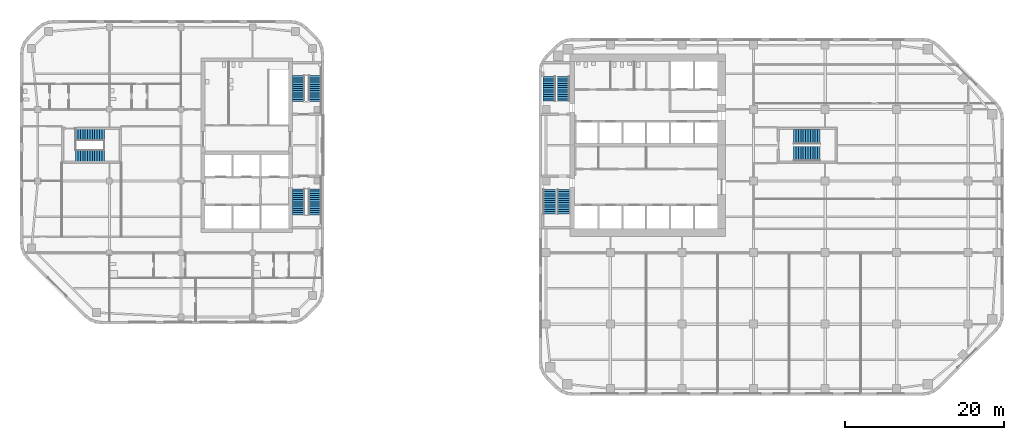
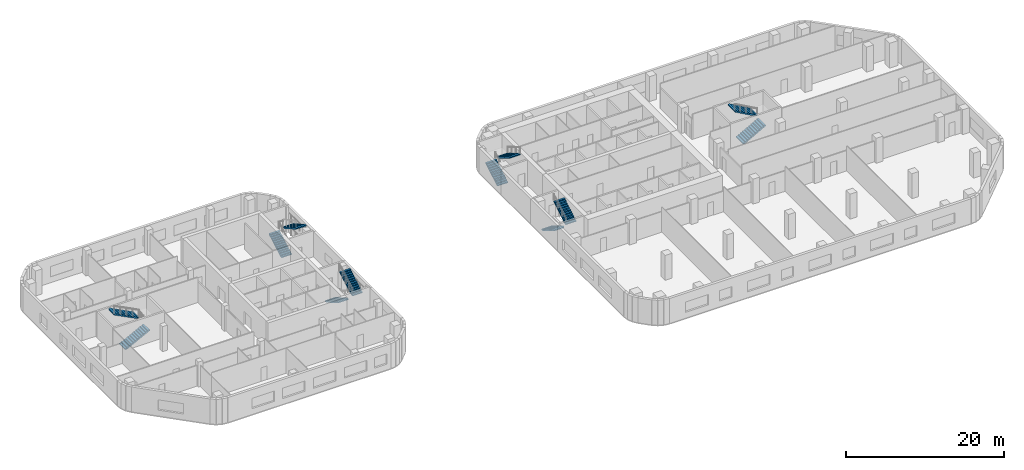
# One storey, part 12 of 15: 12 stair flights, 6 elements without a shape of their own.
"""IFC4 building model written with IfcOpenShell, lengths in metres."""

import ifcopenshell
import ifcopenshell.guid

model = None  # the IFC model being written
_history = None  # IfcOwnerHistory: only IFC2X3 demands one
_inside = {}  # id of a spatial element -> (the spatial element, [elements in it])
_under = {}  # id of a project, library or spatial element -> (it, [spatial elements below it])
_declared = {}  # id of a project -> (the project, [libraries it declares])
_typed = {}  # id of a type object -> (the type object, [elements of that type])
_made_of = {}  # id of a material, layer set ... -> (it, [elements and type objects made of it])


def new_model(schema):
    """Start an empty IFC model of exactly this schema.

    Asked for "IFC4X3", IfcOpenShell would pick the latest addendum, in which some entities
    have other attributes; the version numbers below select the first issue.
    IFC2X3 requires an IfcOwnerHistory on every rooted entity: one is made here for all.
    """
    global model, _history
    if schema == "IFC4X3":
        model = ifcopenshell.file(schema_version=(4, 3, 0, 0))
    else:
        model = ifcopenshell.file(schema=schema)
    _inside.clear()
    _under.clear()
    _declared.clear()
    _typed.clear()
    _made_of.clear()
    _history = None
    if model.schema == "IFC2X3":
        org = make("IfcOrganization", Name="unknown")
        user = make(
            "IfcPersonAndOrganization",
            ThePerson=make("IfcPerson", FamilyName="unknown"),
            TheOrganization=org,
        )
        app = make(
            "IfcApplication",
            ApplicationDeveloper=org,
            Version="unknown",
            ApplicationFullName="unknown",
            ApplicationIdentifier="unknown",
        )
        _history = make(
            "IfcOwnerHistory",
            OwningUser=user,
            OwningApplication=app,
            ChangeAction="ADDED",
            CreationDate=0,
        )
    return model


def make(cls, **values):
    """One entity of the class cls with the attributes given. An attribute that is None is left unset."""
    return model.create_entity(
        cls, **{name: value for name, value in values.items() if value is not None}
    )


def rooted(cls, **values):
    """An entity with a GlobalId (a new one), such as an element, a storey or a relation."""
    return make(cls, GlobalId=ifcopenshell.guid.new(), OwnerHistory=_history, **values)


def si_unit(unit_type, name, prefix=None):
    """IfcSIUnit, for example si_unit("LENGTHUNIT", "METRE", prefix="MILLI")."""
    return make("IfcSIUnit", UnitType=unit_type, Prefix=prefix, Name=name)


def assignment(units):
    """IfcUnitAssignment: the units of a project."""
    return None if units is None else make("IfcUnitAssignment", Units=units)


def point(xyz):
    """IfcCartesianPoint."""
    return None if xyz is None else make("IfcCartesianPoint", Coordinates=xyz)


def direction(xyz):
    """IfcDirection."""
    return None if xyz is None else make("IfcDirection", DirectionRatios=xyz)


def frame(location, z_axis=None, x_axis=None):
    """IfcAxis2Placement3D, a coordinate frame: its origin and axes. An axis left out is left unset."""
    return make(
        "IfcAxis2Placement3D",
        Location=point(location),
        Axis=direction(z_axis),
        RefDirection=direction(x_axis),
    )


def origin():
    """The frame at (0, 0, 0) with its axes left unset."""
    return frame((0.0, 0.0, 0.0))


def place(relative_to, where):
    """IfcLocalPlacement: puts the frame where relative to a parent placement (None: the world)."""
    return make(
        "IfcLocalPlacement", PlacementRelTo=relative_to, RelativePlacement=where
    )


def context(
    kind, dimensions, precision=None, world=None, true_north=None, identifier=None
):
    """IfcGeometricRepresentationContext, for example the 3D "Model" context."""
    return make(
        "IfcGeometricRepresentationContext",
        ContextIdentifier=identifier,
        ContextType=kind,
        CoordinateSpaceDimension=dimensions,
        Precision=precision,
        WorldCoordinateSystem=world,
        TrueNorth=true_north,
    )


def subcontext(parent, identifier, kind, view, scale=None):
    """IfcGeometricRepresentationSubContext, for example "Body" below "Model"."""
    return make(
        "IfcGeometricRepresentationSubContext",
        ContextIdentifier=identifier,
        ContextType=kind,
        ParentContext=parent,
        TargetScale=scale,
        TargetView=view,
    )


def project(units=None, contexts=None):
    """IfcProject with its units and contexts."""
    return rooted(
        "IfcProject",
        Name="project",
        RepresentationContexts=contexts,
        UnitsInContext=assignment(units),
    )


def spatial(cls, under=None, at=None, **own):
    """A site, building, storey or space (cls), placed at a placement, below another one or the project."""
    s = rooted(cls, ObjectPlacement=at, **own)
    if under is not None:
        _under.setdefault(under.id(), (under, []))[1].append(s)
    return s


def polyline(points):
    """IfcPolyline through the points."""
    return make("IfcPolyline", Points=[point(p) for p in points])


def outline(outer, holes=None, kind="AREA"):
    """IfcArbitraryClosedProfileDef: a profile drawn as a closed curve; with holes, ...WithVoids."""
    if holes is None:
        return make("IfcArbitraryClosedProfileDef", ProfileType=kind, OuterCurve=outer)
    return make(
        "IfcArbitraryProfileDefWithVoids",
        ProfileType=kind,
        OuterCurve=outer,
        InnerCurves=holes,
    )


def extrude(swept, where, along, depth):
    """IfcExtrudedAreaSolid: the profile swept, set in the frame where, extruded along a direction by depth."""
    return make(
        "IfcExtrudedAreaSolid",
        SweptArea=swept,
        Position=where,
        ExtrudedDirection=direction(along),
        Depth=depth,
    )


def shape(context_of_items, identifier, shape_type, items):
    """IfcShapeRepresentation: the items that make up one representation, for example the "Body"."""
    return make(
        "IfcShapeRepresentation",
        ContextOfItems=context_of_items,
        RepresentationIdentifier=identifier,
        RepresentationType=shape_type,
        Items=items,
    )


def material(Name=None, Category=None):
    """IfcMaterial."""
    return make("IfcMaterial", Name=Name, Category=Category)


def made_of(thing, what):
    """Note that an element or type object is made of a material, layer set ...; save() writes the relation."""
    if what is not None:
        _made_of.setdefault(what.id(), (what, []))[1].append(thing)
    return thing


def type_object(cls, material=None, **own):
    """A type object (cls), such as IfcWallType, which elements share."""
    return made_of(rooted(cls, **own), material)


def element(
    cls,
    number,
    at=None,
    inside=None,
    cuts=None,
    type_object=None,
    material=None,
    context=None,
    identifier="Body",
    shape_type=None,
    held_by="IfcProductDefinitionShape",
    body=None,
    shapes=None,
    **own,
):
    """One element of the class cls, such as IfcWall. Its Tag is "e" and its number.

    at: its placement. inside: the storey or other place that contains it. cuts: it is an
    opening in that element (IfcRelVoidsElement). A single representation is given by context,
    identifier, shape_type and body (its items); several are given by shapes. held_by: the class
    of the entity that holds the representations. save() writes the other relations.
    """
    e = rooted(cls, Tag="e%d" % number, ObjectPlacement=at, **own)
    if body is not None:
        shapes = [shape(context, identifier, shape_type, body)]
    if shapes is not None:
        e.Representation = make(held_by, Representations=shapes)
    if inside is not None:
        _inside.setdefault(inside.id(), (inside, []))[1].append(e)
    if cuts is not None:
        rooted(
            "IfcRelVoidsElement", RelatingBuildingElement=cuts, RelatedOpeningElement=e
        )
    if type_object is not None:
        _typed.setdefault(type_object.id(), (type_object, []))[1].append(e)
    return made_of(e, material)


def aggregate(whole, parts):
    """IfcRelAggregates: a whole, such as a stair, and the parts it consists of."""
    return rooted("IfcRelAggregates", RelatingObject=whole, RelatedObjects=parts)


def save(model, path):
    """Write the relations noted so far, then the file.

    IfcRelAggregates (storeys below a building ...), IfcRelContainedInSpatialStructure (elements
    in a storey), IfcRelDefinesByType, IfcRelAssociatesMaterial and IfcRelDeclares: one each for
    every whole, place, type object, material and project.
    """
    for whole, parts in _under.values():
        aggregate(whole, parts)
    for where, things in _inside.values():
        rooted(
            "IfcRelContainedInSpatialStructure",
            RelatedElements=things,
            RelatingStructure=where,
        )
    for kind, things in _typed.values():
        rooted("IfcRelDefinesByType", RelatedObjects=things, RelatingType=kind)
    for what, things in _made_of.values():
        rooted("IfcRelAssociatesMaterial", RelatedObjects=things, RelatingMaterial=what)
    for by, libraries in _declared.values():
        rooted("IfcRelDeclares", RelatingContext=by, RelatedDefinitions=libraries)
    model.write(path)


model = new_model("IFC4")

# Units and contexts
model_context = context("Model", 3, precision=1e-05, world=origin(), true_north=direction((0.0, 1.0)))
body_context = subcontext(model_context, "Body", "Model", "MODEL_VIEW")
ifc_project = project(units=[si_unit("LENGTHUNIT", "METRE"), si_unit("AREAUNIT", "SQUARE_METRE"), si_unit("VOLUMEUNIT", "CUBIC_METRE"), si_unit("PLANEANGLEUNIT", "RADIAN"), si_unit("MASSUNIT", "GRAM", prefix="KILO")], contexts=[model_context])

# Site, building, storey
site_placement = place(None, origin())
site = spatial("IfcSite", under=ifc_project, at=site_placement, CompositionType="ELEMENT")
building_placement = place(site_placement, origin())
building = spatial("IfcBuilding", under=site, at=building_placement, Name="Cinnabar Reach Civic Tower", CompositionType="ELEMENT")
storey_placement = place(building_placement, frame((0.0, 0.0, 63.0)))
storey = spatial("IfcBuildingStorey", under=building, at=storey_placement, Name="L14", CompositionType="ELEMENT", Elevation=63.0)

# Stair, stair flights
ifc_material_1 = material(Name="Concrete C40/50", Category="concrete")
stair_type_1 = type_object("IfcStairType", Name="T1 Exit stair, half-turn", PredefinedType="HALF_TURN_STAIR", material=ifc_material_1)
stair_1_placement = place(storey_placement, origin())
stair_1 = element("IfcStair", 1, at=stair_1_placement, inside=storey, type_object=stair_type_1, Name="Stair T1-S1", PredefinedType="HALF_TURN_STAIR")
stair_flight_type_1 = type_object("IfcStairFlightType", Name="T1 Stair flight, concrete", PredefinedType="STRAIGHT", material=ifc_material_1)
stair_flight_1_placement = place(storey_placement, frame((1.3125, 25.95, 0.0), z_axis=(0.0, 0.0, 1.0), x_axis=(0.0, -1.0, 0.0)))
stair_flight_1 = element("IfcStairFlight", 2, at=stair_flight_1_placement, type_object=stair_flight_type_1, Name="T1-S1 flight 1", NumberOfRisers=12, NumberOfTreads=11, PredefinedType="STRAIGHT", RiserHeight=0.166666667, TreadLength=0.28, context=body_context, shape_type="SweptSolid", body=[
    extrude(outline(polyline([(0.0, 0.0), (0.0, 0.1667), (0.28, 0.1667), (0.28, 0.3333), (0.56, 0.3333), (0.56, 0.5), (0.84, 0.5), (0.84, 0.6667), (1.12, 0.6667), (1.12, 0.8333), (1.4, 0.8333), (1.4, 1.0), (1.68, 1.0), (1.68, 1.1667), (1.96, 1.1667), (1.96, 1.3333), (2.24, 1.3333), (2.24, 1.5), (2.52, 1.5), (2.52, 1.6667), (2.8, 1.6667), (2.8, 1.8333), (3.08, 1.8333), (3.08, 2.0), (3.08, 1.6588), (0.2933, 0.0), (0.0, 0.0)])), frame((0.0, 0.7625, 0.0), z_axis=(0.0, -1.0, 0.0), x_axis=(1.0, 0.0, 0.0)), (0.0, 0.0, 1.0), 1.525),
])
stair_flight_2_placement = place(storey_placement, frame((3.0875, 22.87, 2.0), z_axis=(0.0, 0.0, 1.0), x_axis=(0.0, 1.0, 0.0)))
stair_flight_2 = element("IfcStairFlight", 3, at=stair_flight_2_placement, type_object=stair_flight_type_1, Name="T1-S1 flight 2", NumberOfRisers=12, NumberOfTreads=11, PredefinedType="STRAIGHT", RiserHeight=0.166666667, TreadLength=0.28, context=body_context, shape_type="SweptSolid", body=[
    extrude(outline(polyline([(0.0, 0.0), (0.0, 0.1667), (0.28, 0.1667), (0.28, 0.3333), (0.56, 0.3333), (0.56, 0.5), (0.84, 0.5), (0.84, 0.6667), (1.12, 0.6667), (1.12, 0.8333), (1.4, 0.8333), (1.4, 1.0), (1.68, 1.0), (1.68, 1.1667), (1.96, 1.1667), (1.96, 1.3333), (2.24, 1.3333), (2.24, 1.5), (2.52, 1.5), (2.52, 1.6667), (2.8, 1.6667), (2.8, 1.8333), (3.08, 1.8333), (3.08, 2.0), (3.08, 1.6588), (0.2933, 0.0), (0.0, 0.0)])), frame((0.0, 0.7625, 0.0), z_axis=(0.0, -1.0, 0.0), x_axis=(1.0, 0.0, 0.0)), (0.0, 0.0, 1.0), 1.525),
])
aggregate(stair_1, [stair_flight_1, stair_flight_2])

stair_2_placement = place(storey_placement, origin())
stair_2 = element("IfcStair", 4, at=stair_2_placement, inside=storey, type_object=stair_type_1, Name="Stair T1-S2", PredefinedType="HALF_TURN_STAIR")
stair_flight_3_placement = place(storey_placement, frame((1.3125, 37.05, 0.0), z_axis=(0.0, 0.0, 1.0), x_axis=(0.0, 1.0, 0.0)))
stair_flight_3 = element("IfcStairFlight", 5, at=stair_flight_3_placement, type_object=stair_flight_type_1, Name="T1-S2 flight 1", NumberOfRisers=12, NumberOfTreads=11, PredefinedType="STRAIGHT", RiserHeight=0.166666667, TreadLength=0.28, context=body_context, shape_type="SweptSolid", body=[
    extrude(outline(polyline([(0.0, 0.0), (0.0, 0.1667), (0.28, 0.1667), (0.28, 0.3333), (0.56, 0.3333), (0.56, 0.5), (0.84, 0.5), (0.84, 0.6667), (1.12, 0.6667), (1.12, 0.8333), (1.4, 0.8333), (1.4, 1.0), (1.68, 1.0), (1.68, 1.1667), (1.96, 1.1667), (1.96, 1.3333), (2.24, 1.3333), (2.24, 1.5), (2.52, 1.5), (2.52, 1.6667), (2.8, 1.6667), (2.8, 1.8333), (3.08, 1.8333), (3.08, 2.0), (3.08, 1.6588), (0.2933, 0.0), (0.0, 0.0)])), frame((0.0, 0.7625, 0.0), z_axis=(0.0, -1.0, 0.0), x_axis=(1.0, 0.0, 0.0)), (0.0, 0.0, 1.0), 1.525),
])
stair_flight_4_placement = place(storey_placement, frame((3.0875, 40.13, 2.0), z_axis=(0.0, 0.0, 1.0), x_axis=(0.0, -1.0, 0.0)))
stair_flight_4 = element("IfcStairFlight", 6, at=stair_flight_4_placement, type_object=stair_flight_type_1, Name="T1-S2 flight 2", NumberOfRisers=12, NumberOfTreads=11, PredefinedType="STRAIGHT", RiserHeight=0.166666667, TreadLength=0.28, context=body_context, shape_type="SweptSolid", body=[
    extrude(outline(polyline([(0.0, 0.0), (0.0, 0.1667), (0.28, 0.1667), (0.28, 0.3333), (0.56, 0.3333), (0.56, 0.5), (0.84, 0.5), (0.84, 0.6667), (1.12, 0.6667), (1.12, 0.8333), (1.4, 0.8333), (1.4, 1.0), (1.68, 1.0), (1.68, 1.1667), (1.96, 1.1667), (1.96, 1.3333), (2.24, 1.3333), (2.24, 1.5), (2.52, 1.5), (2.52, 1.6667), (2.8, 1.6667), (2.8, 1.8333), (3.08, 1.8333), (3.08, 2.0), (3.08, 1.6588), (0.2933, 0.0), (0.0, 0.0)])), frame((0.0, 0.7625, 0.0), z_axis=(0.0, -1.0, 0.0), x_axis=(1.0, 0.0, 0.0)), (0.0, 0.0, 1.0), 1.525),
])
aggregate(stair_2, [stair_flight_3, stair_flight_4])

stair_3_placement = place(storey_placement, origin())
stair_3 = element("IfcStair", 7, at=stair_3_placement, inside=storey, type_object=stair_type_1, Name="Stair T1-S3", PredefinedType="HALF_TURN_STAIR")
stair_flight_5_placement = place(storey_placement, frame((32.05, 30.45, 0.0), z_axis=(0.0, 0.0, 1.0), x_axis=(1.0, 0.0, 0.0)))
stair_flight_5 = element("IfcStairFlight", 8, at=stair_flight_5_placement, type_object=stair_flight_type_1, Name="T1-S3 flight 1", NumberOfRisers=12, NumberOfTreads=11, PredefinedType="STRAIGHT", RiserHeight=0.166666667, TreadLength=0.3, context=body_context, shape_type="SweptSolid", body=[
    extrude(outline(polyline([(0.0, 0.0), (0.0, 0.1667), (0.3, 0.1667), (0.3, 0.3333), (0.6, 0.3333), (0.6, 0.5), (0.9, 0.5), (0.9, 0.6667), (1.2, 0.6667), (1.2, 0.8333), (1.5, 0.8333), (1.5, 1.0), (1.8, 1.0), (1.8, 1.1667), (2.1, 1.1667), (2.1, 1.3333), (2.4, 1.3333), (2.4, 1.5), (2.7, 1.5), (2.7, 1.6667), (3.0, 1.6667), (3.0, 1.8333), (3.3, 1.8333), (3.3, 2.0), (3.3, 1.6617), (0.3089, 0.0), (0.0, 0.0)])), frame((0.0, 0.9, 0.0), z_axis=(0.0, -1.0, 0.0), x_axis=(1.0, 0.0, 0.0)), (0.0, 0.0, 1.0), 1.8),
])
stair_flight_6_placement = place(storey_placement, frame((35.35, 32.55, 2.0), z_axis=(0.0, 0.0, 1.0), x_axis=(-1.0, 0.0, 0.0)))
stair_flight_6 = element("IfcStairFlight", 9, at=stair_flight_6_placement, type_object=stair_flight_type_1, Name="T1-S3 flight 2", NumberOfRisers=12, NumberOfTreads=11, PredefinedType="STRAIGHT", RiserHeight=0.166666667, TreadLength=0.3, context=body_context, shape_type="SweptSolid", body=[
    extrude(outline(polyline([(0.0, 0.0), (0.0, 0.1667), (0.3, 0.1667), (0.3, 0.3333), (0.6, 0.3333), (0.6, 0.5), (0.9, 0.5), (0.9, 0.6667), (1.2, 0.6667), (1.2, 0.8333), (1.5, 0.8333), (1.5, 1.0), (1.8, 1.0), (1.8, 1.1667), (2.1, 1.1667), (2.1, 1.3333), (2.4, 1.3333), (2.4, 1.5), (2.7, 1.5), (2.7, 1.6667), (3.0, 1.6667), (3.0, 1.8333), (3.3, 1.8333), (3.3, 2.0), (3.3, 1.6617), (0.3089, 0.0), (0.0, 0.0)])), frame((0.0, 0.9, 0.0), z_axis=(0.0, -1.0, 0.0), x_axis=(1.0, 0.0, 0.0)), (0.0, 0.0, 1.0), 1.8),
])
aggregate(stair_3, [stair_flight_5, stair_flight_6])

ifc_material_2 = material(Name="Concrete C40", Category="concrete")
stair_type_2 = type_object("IfcStairType", Name="T2 Exit stair 1500", PredefinedType="HALF_TURN_STAIR", material=ifc_material_2)
stair_4_placement = place(storey_placement, origin())
stair_4 = element("IfcStair", 10, at=stair_4_placement, inside=storey, type_object=stair_type_2, Name="Exit stair 1", PredefinedType="HALF_TURN_STAIR")
stair_flight_type_2 = type_object("IfcStairFlightType", Name="T2 Stair flight 1500", PredefinedType="STRAIGHT", material=ifc_material_2)
stair_flight_7_placement = place(storey_placement, frame((-30.25, 26.0, 0.0), z_axis=(0.0, 0.0, 1.0), x_axis=(0.0, -1.0, 0.0)))
stair_flight_7 = element("IfcStairFlight", 11, at=stair_flight_7_placement, type_object=stair_flight_type_2, Name="ST1 flight 1", NumberOfRisers=13, NumberOfTreads=12, PredefinedType="STRAIGHT", RiserHeight=0.153846154, TreadLength=0.270833333, context=body_context, shape_type="SweptSolid", body=[
    extrude(outline(polyline([(0.0, 0.0), (0.0, 0.1538), (0.2708, 0.1538), (0.2708, 0.3077), (0.5417, 0.3077), (0.5417, 0.4615), (0.8125, 0.4615), (0.8125, 0.6154), (1.0833, 0.6154), (1.0833, 0.7692), (1.3542, 0.7692), (1.3542, 0.9231), (1.625, 0.9231), (1.625, 1.0769), (1.8958, 1.0769), (1.8958, 1.2308), (2.1667, 1.2308), (2.1667, 1.3846), (2.4375, 1.3846), (2.4375, 1.5385), (2.7083, 1.5385), (2.7083, 1.6923), (2.9792, 1.6923), (2.9792, 1.8462), (3.25, 1.8462), (3.25, 2.0), (3.25, 1.6736), (0.3037, 0.0), (0.0, 0.0)])), frame((0.0, 0.75, 0.0), z_axis=(0.0, -1.0, 0.0), x_axis=(1.0, 0.0, 0.0)), (0.0, 0.0, 1.0), 1.5),
])
stair_flight_8_placement = place(storey_placement, frame((-28.15, 22.75, 2.0), z_axis=(0.0, 0.0, 1.0), x_axis=(0.0, 1.0, 0.0)))
stair_flight_8 = element("IfcStairFlight", 12, at=stair_flight_8_placement, type_object=stair_flight_type_2, Name="ST1 flight 2", NumberOfRisers=13, NumberOfTreads=12, PredefinedType="STRAIGHT", RiserHeight=0.153846154, TreadLength=0.270833333, context=body_context, shape_type="SweptSolid", body=[
    extrude(outline(polyline([(0.0, 0.0), (0.0, 0.1538), (0.2708, 0.1538), (0.2708, 0.3077), (0.5417, 0.3077), (0.5417, 0.4615), (0.8125, 0.4615), (0.8125, 0.6154), (1.0833, 0.6154), (1.0833, 0.7692), (1.3542, 0.7692), (1.3542, 0.9231), (1.625, 0.9231), (1.625, 1.0769), (1.8958, 1.0769), (1.8958, 1.2308), (2.1667, 1.2308), (2.1667, 1.3846), (2.4375, 1.3846), (2.4375, 1.5385), (2.7083, 1.5385), (2.7083, 1.6923), (2.9792, 1.6923), (2.9792, 1.8462), (3.25, 1.8462), (3.25, 2.0), (3.25, 1.6736), (0.3037, 0.0), (0.0, 0.0)])), frame((0.0, 0.75, 0.0), z_axis=(0.0, -1.0, 0.0), x_axis=(1.0, 0.0, 0.0)), (0.0, 0.0, 1.0), 1.5),
])
aggregate(stair_4, [stair_flight_7, stair_flight_8])

stair_5_placement = place(storey_placement, origin())
stair_5 = element("IfcStair", 13, at=stair_5_placement, inside=storey, type_object=stair_type_2, Name="Exit stair 2", PredefinedType="HALF_TURN_STAIR")
stair_flight_9_placement = place(storey_placement, frame((-30.25, 37.0, 0.0), z_axis=(0.0, 0.0, 1.0), x_axis=(0.0, 1.0, 0.0)))
stair_flight_9 = element("IfcStairFlight", 14, at=stair_flight_9_placement, type_object=stair_flight_type_2, Name="ST2 flight 1", NumberOfRisers=13, NumberOfTreads=12, PredefinedType="STRAIGHT", RiserHeight=0.153846154, TreadLength=0.270833333, context=body_context, shape_type="SweptSolid", body=[
    extrude(outline(polyline([(0.0, 0.0), (0.0, 0.1538), (0.2708, 0.1538), (0.2708, 0.3077), (0.5417, 0.3077), (0.5417, 0.4615), (0.8125, 0.4615), (0.8125, 0.6154), (1.0833, 0.6154), (1.0833, 0.7692), (1.3542, 0.7692), (1.3542, 0.9231), (1.625, 0.9231), (1.625, 1.0769), (1.8958, 1.0769), (1.8958, 1.2308), (2.1667, 1.2308), (2.1667, 1.3846), (2.4375, 1.3846), (2.4375, 1.5385), (2.7083, 1.5385), (2.7083, 1.6923), (2.9792, 1.6923), (2.9792, 1.8462), (3.25, 1.8462), (3.25, 2.0), (3.25, 1.6736), (0.3037, 0.0), (0.0, 0.0)])), frame((0.0, 0.75, 0.0), z_axis=(0.0, -1.0, 0.0), x_axis=(1.0, 0.0, 0.0)), (0.0, 0.0, 1.0), 1.5),
])
stair_flight_10_placement = place(storey_placement, frame((-28.15, 40.25, 2.0), z_axis=(0.0, 0.0, 1.0), x_axis=(0.0, -1.0, 0.0)))
stair_flight_10 = element("IfcStairFlight", 15, at=stair_flight_10_placement, type_object=stair_flight_type_2, Name="ST2 flight 2", NumberOfRisers=13, NumberOfTreads=12, PredefinedType="STRAIGHT", RiserHeight=0.153846154, TreadLength=0.270833333, context=body_context, shape_type="SweptSolid", body=[
    extrude(outline(polyline([(0.0, 0.0), (0.0, 0.1538), (0.2708, 0.1538), (0.2708, 0.3077), (0.5417, 0.3077), (0.5417, 0.4615), (0.8125, 0.4615), (0.8125, 0.6154), (1.0833, 0.6154), (1.0833, 0.7692), (1.3542, 0.7692), (1.3542, 0.9231), (1.625, 0.9231), (1.625, 1.0769), (1.8958, 1.0769), (1.8958, 1.2308), (2.1667, 1.2308), (2.1667, 1.3846), (2.4375, 1.3846), (2.4375, 1.5385), (2.7083, 1.5385), (2.7083, 1.6923), (2.9792, 1.6923), (2.9792, 1.8462), (3.25, 1.8462), (3.25, 2.0), (3.25, 1.6736), (0.3037, 0.0), (0.0, 0.0)])), frame((0.0, 0.75, 0.0), z_axis=(0.0, -1.0, 0.0), x_axis=(1.0, 0.0, 0.0)), (0.0, 0.0, 1.0), 1.5),
])
aggregate(stair_5, [stair_flight_9, stair_flight_10])

stair_6_placement = place(storey_placement, origin())
stair_6 = element("IfcStair", 16, at=stair_6_placement, inside=storey, type_object=stair_type_2, Name="Exit stair 3", PredefinedType="HALF_TURN_STAIR")
stair_flight_11_placement = place(storey_placement, frame((-58.25, 30.125, 0.0), z_axis=(0.0, 0.0, 1.0), x_axis=(1.0, 0.0, 0.0)))
stair_flight_11 = element("IfcStairFlight", 17, at=stair_flight_11_placement, type_object=stair_flight_type_2, Name="ST3 flight 1", NumberOfRisers=13, NumberOfTreads=12, PredefinedType="STRAIGHT", RiserHeight=0.153846154, TreadLength=0.3, context=body_context, shape_type="SweptSolid", body=[
    extrude(outline(polyline([(0.0, 0.0), (0.0, 0.1538), (0.3, 0.1538), (0.3, 0.3077), (0.6, 0.3077), (0.6, 0.4615), (0.9, 0.4615), (0.9, 0.6154), (1.2, 0.6154), (1.2, 0.7692), (1.5, 0.7692), (1.5, 0.9231), (1.8, 0.9231), (1.8, 1.0769), (2.1, 1.0769), (2.1, 1.2308), (2.4, 1.2308), (2.4, 1.3846), (2.7, 1.3846), (2.7, 1.5385), (3.0, 1.5385), (3.0, 1.6923), (3.3, 1.6923), (3.3, 1.8462), (3.6, 1.8462), (3.6, 2.0), (3.6, 1.6776), (0.3287, 0.0), (0.0, 0.0)])), frame((0.0, 0.75, 0.0), z_axis=(0.0, -1.0, 0.0), x_axis=(1.0, 0.0, 0.0)), (0.0, 0.0, 1.0), 1.5),
])
stair_flight_12_placement = place(storey_placement, frame((-54.65, 32.875, 2.0), z_axis=(0.0, 0.0, 1.0), x_axis=(-1.0, 0.0, 0.0)))
stair_flight_12 = element("IfcStairFlight", 18, at=stair_flight_12_placement, type_object=stair_flight_type_2, Name="ST3 flight 2", NumberOfRisers=13, NumberOfTreads=12, PredefinedType="STRAIGHT", RiserHeight=0.153846154, TreadLength=0.3, context=body_context, shape_type="SweptSolid", body=[
    extrude(outline(polyline([(0.0, 0.0), (0.0, 0.1538), (0.3, 0.1538), (0.3, 0.3077), (0.6, 0.3077), (0.6, 0.4615), (0.9, 0.4615), (0.9, 0.6154), (1.2, 0.6154), (1.2, 0.7692), (1.5, 0.7692), (1.5, 0.9231), (1.8, 0.9231), (1.8, 1.0769), (2.1, 1.0769), (2.1, 1.2308), (2.4, 1.2308), (2.4, 1.3846), (2.7, 1.3846), (2.7, 1.5385), (3.0, 1.5385), (3.0, 1.6923), (3.3, 1.6923), (3.3, 1.8462), (3.6, 1.8462), (3.6, 2.0), (3.6, 1.6776), (0.3287, 0.0), (0.0, 0.0)])), frame((0.0, 0.75, 0.0), z_axis=(0.0, -1.0, 0.0), x_axis=(1.0, 0.0, 0.0)), (0.0, 0.0, 1.0), 1.5),
])
aggregate(stair_6, [stair_flight_11, stair_flight_12])

save(model, "model.ifc")
